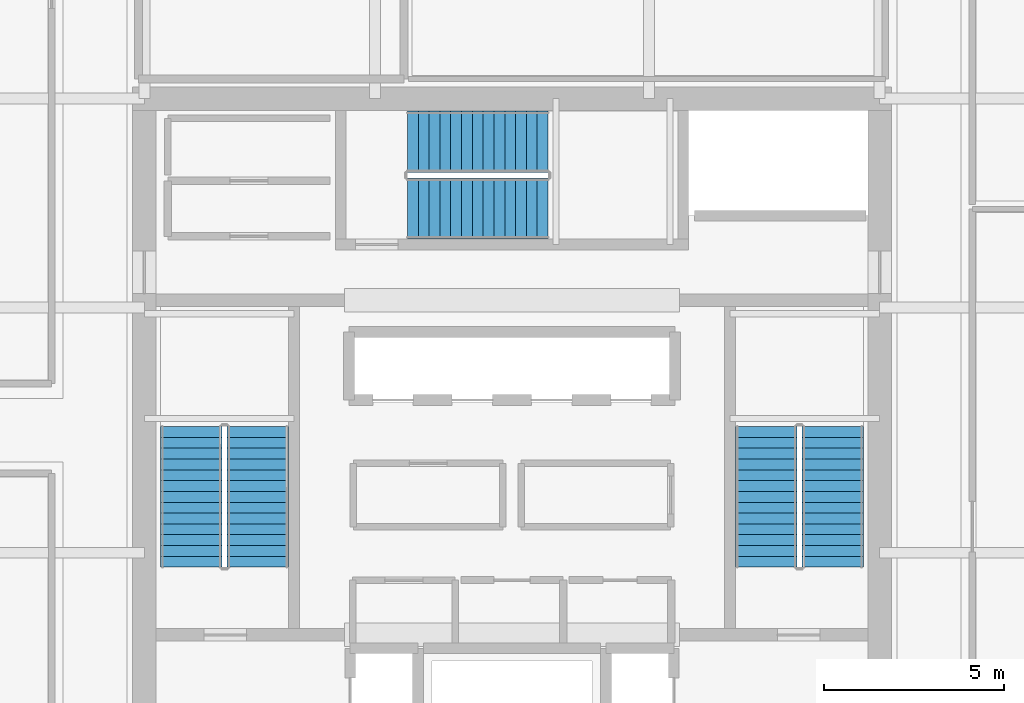
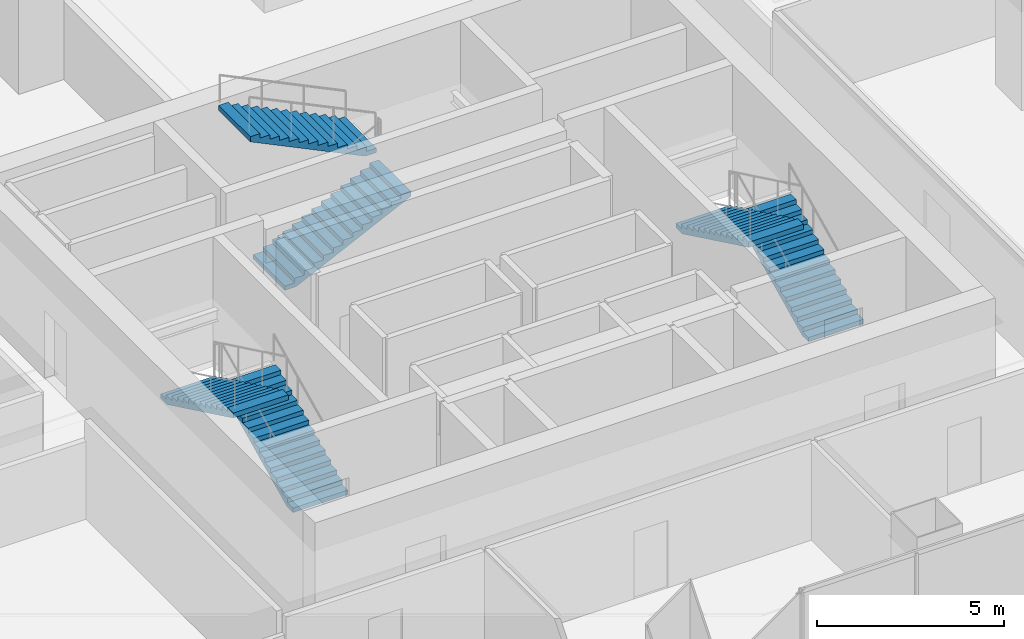
# One storey, part 32 of 37: 6 stair flights, 3 elements without a shape of their own.
"""IFC4 building model written with IfcOpenShell, lengths in metres."""

from ifc_helpers import new_model, si_unit, direction, frame, origin, place, context, subcontext, project, spatial, polyline, outline, extrude, material, type_object, element, aggregate, save


model = new_model("IFC4")

# Units and contexts
model_context = context("Model", 3, precision=1e-05, world=origin(), true_north=direction((0.0, 1.0)))
body_context = subcontext(model_context, "Body", "Model", "MODEL_VIEW")
ifc_project = project(units=[si_unit("LENGTHUNIT", "METRE"), si_unit("AREAUNIT", "SQUARE_METRE"), si_unit("VOLUMEUNIT", "CUBIC_METRE"), si_unit("PLANEANGLEUNIT", "RADIAN"), si_unit("MASSUNIT", "GRAM", prefix="KILO")], contexts=[model_context])

# Site, building, storey
site_placement = place(None, origin())
site = spatial("IfcSite", under=ifc_project, at=site_placement, CompositionType="ELEMENT")
building_placement = place(site_placement, origin())
building = spatial("IfcBuilding", under=site, at=building_placement, Name="Punatoya Terracotta Tower", CompositionType="ELEMENT")
storey_placement = place(building_placement, frame((0.0, 0.0, 164.10009765625)))
storey = spatial("IfcBuildingStorey", under=building, at=storey_placement, Name="L38", CompositionType="ELEMENT", Elevation=164.10009765625)

# Stair, stair flights
ifc_material = material(Name="Concrete C40/50", Category="concrete")
stair_type_1 = type_object("IfcStairType", Name="STR-CORE-1550", PredefinedType="HALF_TURN_STAIR", material=ifc_material)
stair_1_placement = place(storey_placement, origin())
stair_1 = element("IfcStair", 1, at=stair_1_placement, inside=storey, type_object=stair_type_1, Name="L38 Protected Core Exit Stair ST-1", PredefinedType="HALF_TURN_STAIR")
stair_flight_type_1 = type_object("IfcStairFlightType", Name="SFL-CORE-1550", PredefinedType="STRAIGHT", material=ifc_material)
stair_flight_1_placement = place(storey_placement, frame((-7.050048828125, -3.800048828125, 0.0), z_axis=(0.0, 0.0, 1.0), x_axis=(0.0, 1.0, 0.0)))
stair_flight_1 = element("IfcStairFlight", 2, at=stair_flight_1_placement, type_object=stair_flight_type_1, Name="ST-1 flight 1", NumberOfRisers=14, NumberOfTreads=13, PredefinedType="STRAIGHT", RiserHeight=0.144642857, TreadLength=0.3, context=body_context, shape_type="SweptSolid", body=[
    extrude(outline(polyline([(0.0, 0.0), (0.0, 0.14453125), (0.300048828125, 0.14453125), (0.300048828125, 0.289306640625), (0.60009765625, 0.289306640625), (0.60009765625, 0.433837890625), (0.89990234375, 0.433837890625), (0.89990234375, 0.57861328125), (1.199951171875, 0.57861328125), (1.199951171875, 0.72314453125), (1.5, 0.72314453125), (1.5, 0.867919921875), (1.800048828125, 0.867919921875), (1.800048828125, 1.012451171875), (2.10009765625, 1.012451171875), (2.10009765625, 1.1572265625), (2.39990234375, 1.1572265625), (2.39990234375, 1.3017578125), (2.699951171875, 1.3017578125), (2.699951171875, 1.446533203125), (3.0, 1.446533203125), (3.0, 1.591064453125), (3.300048828125, 1.591064453125), (3.300048828125, 1.735595703125), (3.60009765625, 1.735595703125), (3.60009765625, 1.88037109375), (3.89990234375, 1.88037109375), (3.89990234375, 2.02490234375), (3.89990234375, 1.7138671875), (0.34521484375, 0.0), (0.0, 0.0)])), frame((0.0, 0.85009765625, 0.0), z_axis=(0.0, -1.0, 0.0), x_axis=(1.0, 0.0, 0.0)), (0.0, 0.0, 1.0), 1.699951171875),
])
stair_flight_2_placement = place(storey_placement, frame((-8.89990234375, 0.10009765625, 2.02490234375), z_axis=(0.0, 0.0, 1.0), x_axis=(0.0, -1.0, 0.0)))
stair_flight_2 = element("IfcStairFlight", 3, at=stair_flight_2_placement, type_object=stair_flight_type_1, Name="ST-1 flight 2", NumberOfRisers=14, NumberOfTreads=13, PredefinedType="STRAIGHT", RiserHeight=0.144642857, TreadLength=0.3, context=body_context, shape_type="SweptSolid", body=[
    extrude(outline(polyline([(0.0, 0.0), (0.0, 0.14453125), (0.300048828125, 0.14453125), (0.300048828125, 0.289306640625), (0.60009765625, 0.289306640625), (0.60009765625, 0.433837890625), (0.89990234375, 0.433837890625), (0.89990234375, 0.57861328125), (1.199951171875, 0.57861328125), (1.199951171875, 0.72314453125), (1.5, 0.72314453125), (1.5, 0.867919921875), (1.800048828125, 0.867919921875), (1.800048828125, 1.012451171875), (2.10009765625, 1.012451171875), (2.10009765625, 1.1572265625), (2.39990234375, 1.1572265625), (2.39990234375, 1.3017578125), (2.699951171875, 1.3017578125), (2.699951171875, 1.446533203125), (3.0, 1.446533203125), (3.0, 1.591064453125), (3.300048828125, 1.591064453125), (3.300048828125, 1.735595703125), (3.60009765625, 1.735595703125), (3.60009765625, 1.88037109375), (3.89990234375, 1.88037109375), (3.89990234375, 2.02490234375), (3.89990234375, 1.7138671875), (0.34521484375, 0.0), (0.0, 0.0)])), frame((0.0, 0.85009765625, 0.0), z_axis=(0.0, -1.0, 0.0), x_axis=(1.0, 0.0, 0.0)), (0.0, 0.0, 1.0), 1.699951171875),
])
aggregate(stair_1, [stair_flight_1, stair_flight_2])

stair_type_2 = type_object("IfcStairType", Name="STR-LOB-1650", PredefinedType="HALF_TURN_STAIR", material=ifc_material)
stair_2_placement = place(storey_placement, origin())
stair_2 = element("IfcStair", 4, at=stair_2_placement, inside=storey, type_object=stair_type_2, Name="L38 Protected Core Exit Stair ST-2", PredefinedType="HALF_TURN_STAIR")
stair_flight_type_2 = type_object("IfcStairFlightType", Name="SFL-LOB-1650", PredefinedType="STRAIGHT", material=ifc_material)
stair_flight_3_placement = place(storey_placement, frame((8.89990234375, -3.800048828125, 0.0), z_axis=(0.0, 0.0, 1.0), x_axis=(0.0, 1.0, 0.0)))
stair_flight_3 = element("IfcStairFlight", 5, at=stair_flight_3_placement, type_object=stair_flight_type_2, Name="ST-2 flight 1", NumberOfRisers=14, NumberOfTreads=13, PredefinedType="STRAIGHT", RiserHeight=0.144642857, TreadLength=0.3, context=body_context, shape_type="SweptSolid", body=[
    extrude(outline(polyline([(0.0, 0.0), (0.0, 0.14453125), (0.300048828125, 0.14453125), (0.300048828125, 0.289306640625), (0.60009765625, 0.289306640625), (0.60009765625, 0.433837890625), (0.89990234375, 0.433837890625), (0.89990234375, 0.57861328125), (1.199951171875, 0.57861328125), (1.199951171875, 0.72314453125), (1.5, 0.72314453125), (1.5, 0.867919921875), (1.800048828125, 0.867919921875), (1.800048828125, 1.012451171875), (2.10009765625, 1.012451171875), (2.10009765625, 1.1572265625), (2.39990234375, 1.1572265625), (2.39990234375, 1.3017578125), (2.699951171875, 1.3017578125), (2.699951171875, 1.446533203125), (3.0, 1.446533203125), (3.0, 1.591064453125), (3.300048828125, 1.591064453125), (3.300048828125, 1.735595703125), (3.60009765625, 1.735595703125), (3.60009765625, 1.88037109375), (3.89990234375, 1.88037109375), (3.89990234375, 2.02490234375), (3.89990234375, 1.7138671875), (0.34521484375, 0.0), (0.0, 0.0)])), frame((0.0, 0.85009765625, 0.0), z_axis=(0.0, -1.0, 0.0), x_axis=(1.0, 0.0, 0.0)), (0.0, 0.0, 1.0), 1.699951171875),
])
stair_flight_4_placement = place(storey_placement, frame((7.050048828125, 0.10009765625, 2.02490234375), z_axis=(0.0, 0.0, 1.0), x_axis=(0.0, -1.0, 0.0)))
stair_flight_4 = element("IfcStairFlight", 6, at=stair_flight_4_placement, type_object=stair_flight_type_2, Name="ST-2 flight 2", NumberOfRisers=14, NumberOfTreads=13, PredefinedType="STRAIGHT", RiserHeight=0.144642857, TreadLength=0.3, context=body_context, shape_type="SweptSolid", body=[
    extrude(outline(polyline([(0.0, 0.0), (0.0, 0.14453125), (0.300048828125, 0.14453125), (0.300048828125, 0.289306640625), (0.60009765625, 0.289306640625), (0.60009765625, 0.433837890625), (0.89990234375, 0.433837890625), (0.89990234375, 0.57861328125), (1.199951171875, 0.57861328125), (1.199951171875, 0.72314453125), (1.5, 0.72314453125), (1.5, 0.867919921875), (1.800048828125, 0.867919921875), (1.800048828125, 1.012451171875), (2.10009765625, 1.012451171875), (2.10009765625, 1.1572265625), (2.39990234375, 1.1572265625), (2.39990234375, 1.3017578125), (2.699951171875, 1.3017578125), (2.699951171875, 1.446533203125), (3.0, 1.446533203125), (3.0, 1.591064453125), (3.300048828125, 1.591064453125), (3.300048828125, 1.735595703125), (3.60009765625, 1.735595703125), (3.60009765625, 1.88037109375), (3.89990234375, 1.88037109375), (3.89990234375, 2.02490234375), (3.89990234375, 1.7138671875), (0.34521484375, 0.0), (0.0, 0.0)])), frame((0.0, 0.85009765625, 0.0), z_axis=(0.0, -1.0, 0.0), x_axis=(1.0, 0.0, 0.0)), (0.0, 0.0, 1.0), 1.699951171875),
])
aggregate(stair_2, [stair_flight_3, stair_flight_4])

stair_type_3 = type_object("IfcStairType", Name="STR-TER-1450", PredefinedType="HALF_TURN_STAIR", material=ifc_material)
stair_3_placement = place(storey_placement, origin())
stair_3 = element("IfcStair", 7, at=stair_3_placement, inside=storey, type_object=stair_type_3, Name="L38 Protected Core Exit Stair ST-3", PredefinedType="HALF_TURN_STAIR")
stair_flight_type_3 = type_object("IfcStairFlightType", Name="SFL-TER-1450", PredefinedType="STRAIGHT", material=ifc_material)
stair_flight_5_placement = place(storey_placement, frame((-2.89990234375, 6.14990234375, 0.0), z_axis=(0.0, 0.0, 1.0), x_axis=(1.0, 0.0, 0.0)))
stair_flight_5 = element("IfcStairFlight", 8, at=stair_flight_5_placement, type_object=stair_flight_type_3, Name="ST-3 flight 1", NumberOfRisers=14, NumberOfTreads=13, PredefinedType="STRAIGHT", RiserHeight=0.144642857, TreadLength=0.3, context=body_context, shape_type="SweptSolid", body=[
    extrude(outline(polyline([(0.0, 0.0), (0.0, 0.14453125), (0.300048828125, 0.14453125), (0.300048828125, 0.289306640625), (0.60009765625, 0.289306640625), (0.60009765625, 0.433837890625), (0.89990234375, 0.433837890625), (0.89990234375, 0.57861328125), (1.199951171875, 0.57861328125), (1.199951171875, 0.72314453125), (1.5, 0.72314453125), (1.5, 0.867919921875), (1.800048828125, 0.867919921875), (1.800048828125, 1.012451171875), (2.10009765625, 1.012451171875), (2.10009765625, 1.1572265625), (2.39990234375, 1.1572265625), (2.39990234375, 1.3017578125), (2.699951171875, 1.3017578125), (2.699951171875, 1.446533203125), (3.0, 1.446533203125), (3.0, 1.591064453125), (3.300048828125, 1.591064453125), (3.300048828125, 1.735595703125), (3.60009765625, 1.735595703125), (3.60009765625, 1.88037109375), (3.89990234375, 1.88037109375), (3.89990234375, 2.02490234375), (3.89990234375, 1.7138671875), (0.34521484375, 0.0), (0.0, 0.0)])), frame((0.0, 0.85009765625, 0.0), z_axis=(0.0, -1.0, 0.0), x_axis=(1.0, 0.0, 0.0)), (0.0, 0.0, 1.0), 1.699951171875),
])
stair_flight_6_placement = place(storey_placement, frame((1.0, 8.0, 2.02490234375), z_axis=(0.0, 0.0, 1.0), x_axis=(-1.0, 0.0, 0.0)))
stair_flight_6 = element("IfcStairFlight", 9, at=stair_flight_6_placement, type_object=stair_flight_type_3, Name="ST-3 flight 2", NumberOfRisers=14, NumberOfTreads=13, PredefinedType="STRAIGHT", RiserHeight=0.144642857, TreadLength=0.3, context=body_context, shape_type="SweptSolid", body=[
    extrude(outline(polyline([(0.0, 0.0), (0.0, 0.14453125), (0.300048828125, 0.14453125), (0.300048828125, 0.289306640625), (0.60009765625, 0.289306640625), (0.60009765625, 0.433837890625), (0.89990234375, 0.433837890625), (0.89990234375, 0.57861328125), (1.199951171875, 0.57861328125), (1.199951171875, 0.72314453125), (1.5, 0.72314453125), (1.5, 0.867919921875), (1.800048828125, 0.867919921875), (1.800048828125, 1.012451171875), (2.10009765625, 1.012451171875), (2.10009765625, 1.1572265625), (2.39990234375, 1.1572265625), (2.39990234375, 1.3017578125), (2.699951171875, 1.3017578125), (2.699951171875, 1.446533203125), (3.0, 1.446533203125), (3.0, 1.591064453125), (3.300048828125, 1.591064453125), (3.300048828125, 1.735595703125), (3.60009765625, 1.735595703125), (3.60009765625, 1.88037109375), (3.89990234375, 1.88037109375), (3.89990234375, 2.02490234375), (3.89990234375, 1.7138671875), (0.34521484375, 0.0), (0.0, 0.0)])), frame((0.0, 0.85009765625, 0.0), z_axis=(0.0, -1.0, 0.0), x_axis=(1.0, 0.0, 0.0)), (0.0, 0.0, 1.0), 1.699951171875),
])
aggregate(stair_3, [stair_flight_5, stair_flight_6])

save(model, "model.ifc")
